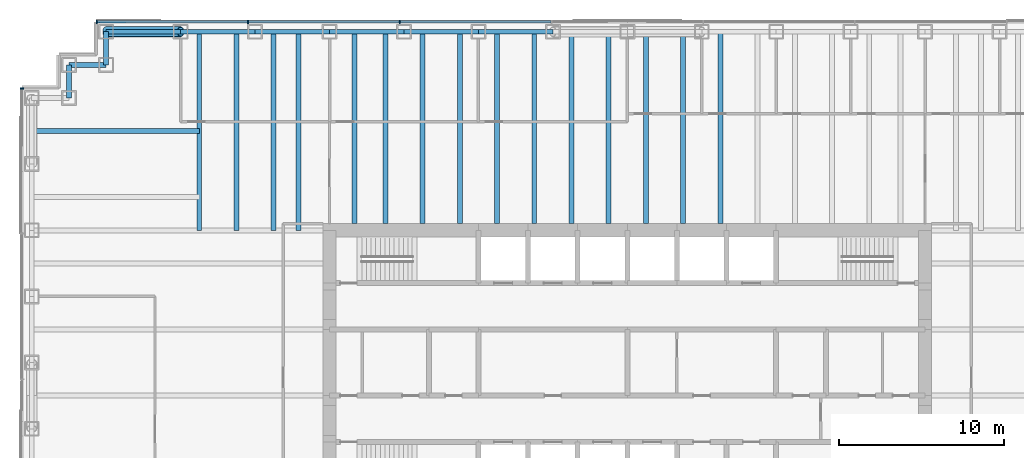
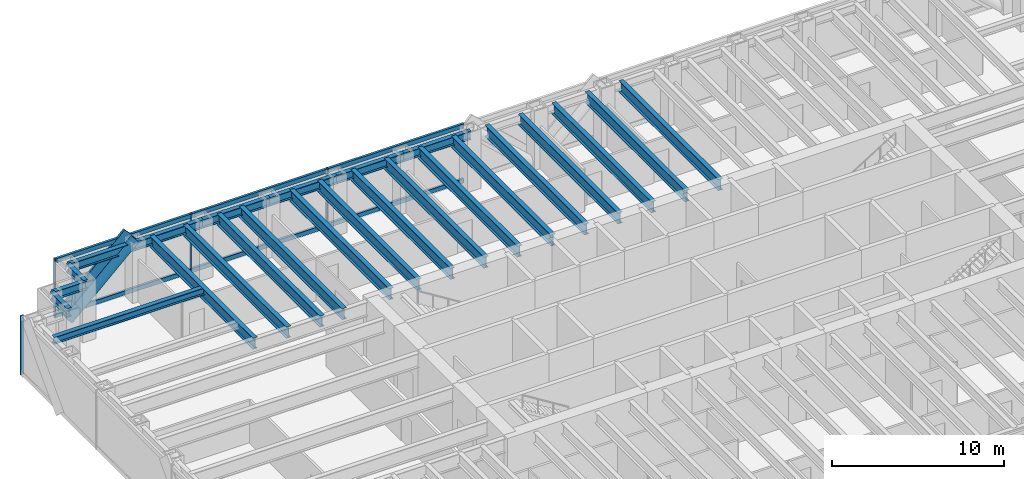
# One storey, part 5 of 15: 25 beams, 12 members, 2 elements without a shape of their own.
"""IFC4 building model written with IfcOpenShell, lengths in metres."""

import ifcopenshell
import ifcopenshell.guid

model = None  # the IFC model being written
_history = None  # IfcOwnerHistory: only IFC2X3 demands one
_inside = {}  # id of a spatial element -> (the spatial element, [elements in it])
_under = {}  # id of a project, library or spatial element -> (it, [spatial elements below it])
_declared = {}  # id of a project -> (the project, [libraries it declares])
_typed = {}  # id of a type object -> (the type object, [elements of that type])
_made_of = {}  # id of a material, layer set ... -> (it, [elements and type objects made of it])


def new_model(schema):
    """Start an empty IFC model of exactly this schema.

    Asked for "IFC4X3", IfcOpenShell would pick the latest addendum, in which some entities
    have other attributes; the version numbers below select the first issue.
    IFC2X3 requires an IfcOwnerHistory on every rooted entity: one is made here for all.
    """
    global model, _history
    if schema == "IFC4X3":
        model = ifcopenshell.file(schema_version=(4, 3, 0, 0))
    else:
        model = ifcopenshell.file(schema=schema)
    _inside.clear()
    _under.clear()
    _declared.clear()
    _typed.clear()
    _made_of.clear()
    _history = None
    if model.schema == "IFC2X3":
        org = make("IfcOrganization", Name="unknown")
        user = make(
            "IfcPersonAndOrganization",
            ThePerson=make("IfcPerson", FamilyName="unknown"),
            TheOrganization=org,
        )
        app = make(
            "IfcApplication",
            ApplicationDeveloper=org,
            Version="unknown",
            ApplicationFullName="unknown",
            ApplicationIdentifier="unknown",
        )
        _history = make(
            "IfcOwnerHistory",
            OwningUser=user,
            OwningApplication=app,
            ChangeAction="ADDED",
            CreationDate=0,
        )
    return model


def make(cls, **values):
    """One entity of the class cls with the attributes given. An attribute that is None is left unset."""
    return model.create_entity(
        cls, **{name: value for name, value in values.items() if value is not None}
    )


def rooted(cls, **values):
    """An entity with a GlobalId (a new one), such as an element, a storey or a relation."""
    return make(cls, GlobalId=ifcopenshell.guid.new(), OwnerHistory=_history, **values)


def si_unit(unit_type, name, prefix=None):
    """IfcSIUnit, for example si_unit("LENGTHUNIT", "METRE", prefix="MILLI")."""
    return make("IfcSIUnit", UnitType=unit_type, Prefix=prefix, Name=name)


def assignment(units):
    """IfcUnitAssignment: the units of a project."""
    return None if units is None else make("IfcUnitAssignment", Units=units)


def point(xyz):
    """IfcCartesianPoint."""
    return None if xyz is None else make("IfcCartesianPoint", Coordinates=xyz)


def direction(xyz):
    """IfcDirection."""
    return None if xyz is None else make("IfcDirection", DirectionRatios=xyz)


def frame(location, z_axis=None, x_axis=None):
    """IfcAxis2Placement3D, a coordinate frame: its origin and axes. An axis left out is left unset."""
    return make(
        "IfcAxis2Placement3D",
        Location=point(location),
        Axis=direction(z_axis),
        RefDirection=direction(x_axis),
    )


def frame_2d(location, x_axis=None):
    """IfcAxis2Placement2D, a coordinate frame in the plane: its origin and x axis."""
    return make(
        "IfcAxis2Placement2D", Location=point(location), RefDirection=direction(x_axis)
    )


def origin():
    """The frame at (0, 0, 0) with its axes left unset."""
    return frame((0.0, 0.0, 0.0))


def origin_2d():
    """The frame at (0, 0) in the plane with its x axis left unset."""
    return frame_2d((0.0, 0.0))


def place(relative_to, where):
    """IfcLocalPlacement: puts the frame where relative to a parent placement (None: the world)."""
    return make(
        "IfcLocalPlacement", PlacementRelTo=relative_to, RelativePlacement=where
    )


def context(
    kind, dimensions, precision=None, world=None, true_north=None, identifier=None
):
    """IfcGeometricRepresentationContext, for example the 3D "Model" context."""
    return make(
        "IfcGeometricRepresentationContext",
        ContextIdentifier=identifier,
        ContextType=kind,
        CoordinateSpaceDimension=dimensions,
        Precision=precision,
        WorldCoordinateSystem=world,
        TrueNorth=true_north,
    )


def subcontext(parent, identifier, kind, view, scale=None):
    """IfcGeometricRepresentationSubContext, for example "Body" below "Model"."""
    return make(
        "IfcGeometricRepresentationSubContext",
        ContextIdentifier=identifier,
        ContextType=kind,
        ParentContext=parent,
        TargetScale=scale,
        TargetView=view,
    )


def project(units=None, contexts=None):
    """IfcProject with its units and contexts."""
    return rooted(
        "IfcProject",
        Name="project",
        RepresentationContexts=contexts,
        UnitsInContext=assignment(units),
    )


def spatial(cls, under=None, at=None, **own):
    """A site, building, storey or space (cls), placed at a placement, below another one or the project."""
    s = rooted(cls, ObjectPlacement=at, **own)
    if under is not None:
        _under.setdefault(under.id(), (under, []))[1].append(s)
    return s


def profile(cls, at=None, kind="AREA", **sizes):
    """A parametric profile (cls). Its sizes go by their IFC names, for example OverallWidth=200.0."""
    return make(cls, ProfileType=kind, Position=at, **sizes)


def rectangle(**sizes):
    """IfcRectangleProfileDef."""
    return profile("IfcRectangleProfileDef", **sizes)


def hollow_circle(**sizes):
    """IfcCircleHollowProfileDef."""
    return profile("IfcCircleHollowProfileDef", **sizes)


def i_section(**sizes):
    """IfcIShapeProfileDef."""
    return profile("IfcIShapeProfileDef", **sizes)


def extrude(swept, where, along, depth):
    """IfcExtrudedAreaSolid: the profile swept, set in the frame where, extruded along a direction by depth."""
    return make(
        "IfcExtrudedAreaSolid",
        SweptArea=swept,
        Position=where,
        ExtrudedDirection=direction(along),
        Depth=depth,
    )


def shape(context_of_items, identifier, shape_type, items):
    """IfcShapeRepresentation: the items that make up one representation, for example the "Body"."""
    return make(
        "IfcShapeRepresentation",
        ContextOfItems=context_of_items,
        RepresentationIdentifier=identifier,
        RepresentationType=shape_type,
        Items=items,
    )


def material(Name=None, Category=None):
    """IfcMaterial."""
    return make("IfcMaterial", Name=Name, Category=Category)


def material_profile(
    of_material, cross_section, Name=None, Category=None, Priority=None
):
    """IfcMaterialProfile: a cross section and its material."""
    return make(
        "IfcMaterialProfile",
        Name=Name,
        Material=of_material,
        Profile=cross_section,
        Priority=Priority,
        Category=Category,
    )


def profile_set(profiles, Name=None, composite=None):
    """IfcMaterialProfileSet."""
    return make(
        "IfcMaterialProfileSet",
        Name=Name,
        MaterialProfiles=profiles,
        CompositeProfile=composite,
    )


def made_of(thing, what):
    """Note that an element or type object is made of a material, layer set ...; save() writes the relation."""
    if what is not None:
        _made_of.setdefault(what.id(), (what, []))[1].append(thing)
    return thing


def type_object(cls, material=None, **own):
    """A type object (cls), such as IfcWallType, which elements share."""
    return made_of(rooted(cls, **own), material)


def element(
    cls,
    number,
    at=None,
    inside=None,
    cuts=None,
    type_object=None,
    material=None,
    context=None,
    identifier="Body",
    shape_type=None,
    held_by="IfcProductDefinitionShape",
    body=None,
    shapes=None,
    **own,
):
    """One element of the class cls, such as IfcWall. Its Tag is "e" and its number.

    at: its placement. inside: the storey or other place that contains it. cuts: it is an
    opening in that element (IfcRelVoidsElement). A single representation is given by context,
    identifier, shape_type and body (its items); several are given by shapes. held_by: the class
    of the entity that holds the representations. save() writes the other relations.
    """
    e = rooted(cls, Tag="e%d" % number, ObjectPlacement=at, **own)
    if body is not None:
        shapes = [shape(context, identifier, shape_type, body)]
    if shapes is not None:
        e.Representation = make(held_by, Representations=shapes)
    if inside is not None:
        _inside.setdefault(inside.id(), (inside, []))[1].append(e)
    if cuts is not None:
        rooted(
            "IfcRelVoidsElement", RelatingBuildingElement=cuts, RelatedOpeningElement=e
        )
    if type_object is not None:
        _typed.setdefault(type_object.id(), (type_object, []))[1].append(e)
    return made_of(e, material)


def aggregate(whole, parts):
    """IfcRelAggregates: a whole, such as a stair, and the parts it consists of."""
    return rooted("IfcRelAggregates", RelatingObject=whole, RelatedObjects=parts)


def save(model, path):
    """Write the relations noted so far, then the file.

    IfcRelAggregates (storeys below a building ...), IfcRelContainedInSpatialStructure (elements
    in a storey), IfcRelDefinesByType, IfcRelAssociatesMaterial and IfcRelDeclares: one each for
    every whole, place, type object, material and project.
    """
    for whole, parts in _under.values():
        aggregate(whole, parts)
    for where, things in _inside.values():
        rooted(
            "IfcRelContainedInSpatialStructure",
            RelatedElements=things,
            RelatingStructure=where,
        )
    for kind, things in _typed.values():
        rooted("IfcRelDefinesByType", RelatedObjects=things, RelatingType=kind)
    for what, things in _made_of.values():
        rooted("IfcRelAssociatesMaterial", RelatedObjects=things, RelatingMaterial=what)
    for by, libraries in _declared.values():
        rooted("IfcRelDeclares", RelatingContext=by, RelatedDefinitions=libraries)
    model.write(path)


model = new_model("IFC4")

# Units and contexts
model_context = context("Model", 3, precision=1e-05, world=origin(), true_north=direction((0.0, 1.0)))
body_context = subcontext(model_context, "Body", "Model", "MODEL_VIEW")
ifc_project = project(units=[si_unit("LENGTHUNIT", "METRE"), si_unit("AREAUNIT", "SQUARE_METRE"), si_unit("VOLUMEUNIT", "CUBIC_METRE"), si_unit("PLANEANGLEUNIT", "RADIAN"), si_unit("MASSUNIT", "GRAM", prefix="KILO")], contexts=[model_context])

# Site, building, storey
site_placement = place(None, origin())
site = spatial("IfcSite", under=ifc_project, at=site_placement, CompositionType="ELEMENT")
building_placement = place(site_placement, origin())
building = spatial("IfcBuilding", under=site, at=building_placement, Name="Rheinbord Bourse Tower", CompositionType="ELEMENT")
storey_placement = place(building_placement, frame((0.0, 0.0, 215.199951171875)))
storey = spatial("IfcBuildingStorey", under=building, at=storey_placement, Name="L48", CompositionType="ELEMENT", Elevation=215.199951171875)

# Curtain wall, members
ifc_material_1 = material(Name="Dark glass and black aluminium", Category="aluminium")
curtain_wall_type = type_object("IfcCurtainWallType", Name="CW2 DARK GLASS CURTAIN WALL", PredefinedType="USERDEFINED", material=ifc_material_1)
curtain_wall_1_placement = place(storey_placement, origin())
curtain_wall_1 = element("IfcCurtainWall", 1, at=curtain_wall_1_placement, inside=storey, type_object=curtain_wall_type, Name="Curtain wall CW2 N L48", ObjectType="UNITISED CURTAIN WALL", PredefinedType="USERDEFINED")
ifc_material_2 = material(Name="Black anodised aluminium", Category="aluminium")
ifc_material_profile_1 = material_profile(ifc_material_2, rectangle(XDim=0.159912109375, YDim=1.2099609375, at=origin_2d()), Name="CW2 DIAGONAL MULLION 1210x160")
ifc_profile_set_1 = profile_set([ifc_material_profile_1], Name="Black anodised aluminium")
member_type_1 = type_object("IfcMemberType", Name="CW2 BLACK DIAGONAL MULLION", PredefinedType="USERDEFINED", material=ifc_profile_set_1)
member_1_placement = place(storey_placement, frame((4.5, 44.60009765625, 0.0), z_axis=(0.73105922506, 0.0, 0.682314010889), x_axis=(0.0, 1.0, 0.0)))
member_1 = element("IfcMember", 2, at=member_1_placement, type_object=member_type_1, Name="CW2 diagonal mullion c", ObjectType="DIAGONAL MULLION", PredefinedType="USERDEFINED", context=body_context, shape_type="SweptSolid", body=[
    extrude(rectangle(XDim=0.159912109375, YDim=1.2099609375, at=origin_2d()), origin(), (0.0, 0.0, 1.0), 6.155517578125),
])
ifc_material_3 = material(Name="Black anodised aluminium", Category="aluminium")
ifc_material_profile_2 = material_profile(ifc_material_3, rectangle(XDim=0.219970703125, YDim=0.070068359375, at=origin_2d()), Name="CW2 MULLION 70x220")
ifc_profile_set_2 = profile_set([ifc_material_profile_2], Name="Black anodised aluminium")
member_type_2 = type_object("IfcMemberType", Name="CW2 BLACK MULLION", PredefinedType="MULLION", material=ifc_profile_set_2)
member_2_placement = place(storey_placement, frame((22.242919921875, 44.60009765625, 0.0), z_axis=(0.0, 0.0, 1.0), x_axis=(0.0, -1.0, 0.0)))
member_2 = element("IfcMember", 3, at=member_2_placement, type_object=member_type_2, Name="CW2 mullion 6", PredefinedType="MULLION", context=body_context, shape_type="SweptSolid", body=[
    extrude(rectangle(XDim=0.219970703125, YDim=0.070068359375, at=origin_2d()), origin(), (0.0, 0.0, 1.0), 4.199951171875),
])
member_3_placement = place(storey_placement, frame((13.071533203125, 44.60009765625, 0.0), z_axis=(0.0, 0.0, 1.0), x_axis=(0.0, -1.0, 0.0)))
member_3 = element("IfcMember", 4, at=member_3_placement, type_object=member_type_2, Name="CW2 mullion 7", PredefinedType="MULLION", context=body_context, shape_type="SweptSolid", body=[
    extrude(rectangle(XDim=0.219970703125, YDim=0.070068359375, at=origin_2d()), origin(), (0.0, 0.0, 1.0), 4.199951171875),
])
member_4_placement = place(storey_placement, frame((3.93505859375, 44.60009765625, 0.0), z_axis=(0.0, 0.0, 1.0), x_axis=(0.0, -1.0, 0.0)))
member_4 = element("IfcMember", 5, at=member_4_placement, type_object=member_type_2, Name="CW2 mullion 8", PredefinedType="MULLION", context=body_context, shape_type="SweptSolid", body=[
    extrude(rectangle(XDim=0.219970703125, YDim=0.070068359375, at=origin_2d()), origin(), (0.0, 0.0, 1.0), 4.199951171875),
])

# Curtain wall, member
curtain_wall_2_placement = place(storey_placement, origin())
curtain_wall_2 = element("IfcCurtainWall", 6, at=curtain_wall_2_placement, inside=storey, type_object=curtain_wall_type, Name="Curtain wall CW2 W L48", ObjectType="UNITISED CURTAIN WALL", PredefinedType="USERDEFINED")
member_5_placement = place(storey_placement, frame((-0.60009765625, 40.56494140625, 0.0), z_axis=(0.0, 0.0, 1.0), x_axis=(1.0, 0.0, 0.0)))
member_5 = element("IfcMember", 7, at=member_5_placement, type_object=member_type_2, Name="CW2 mullion 1", PredefinedType="MULLION", context=body_context, shape_type="SweptSolid", body=[
    extrude(rectangle(XDim=0.219970703125, YDim=0.070068359375, at=origin_2d()), origin(), (0.0, 0.0, 1.0), 4.199951171875),
])
aggregate(curtain_wall_2, [member_5])

# Member
ifc_material_4 = material(Name="Black anodised aluminium", Category="aluminium")
ifc_material_profile_3 = material_profile(ifc_material_4, rectangle(XDim=0.159912109375, YDim=0.300048828125, at=origin_2d()), Name="CW2 TRANSOM 300x160")
ifc_profile_set_3 = profile_set([ifc_material_profile_3], Name="Black anodised aluminium")
member_type_3 = type_object("IfcMemberType", Name="CW2 BLACK TRANSOM", PredefinedType="USERDEFINED", material=ifc_profile_set_3)
member_6_placement = place(storey_placement, frame((31.37939453125, 44.60009765625, 0.150146484375), z_axis=(-1.0, 0.0, 0.0), x_axis=(0.0, -1.0, 0.0)))
member_6 = element("IfcMember", 8, at=member_6_placement, type_object=member_type_3, Name="CW2 transom 5.1", ObjectType="TRANSOM", PredefinedType="USERDEFINED", context=body_context, shape_type="SweptSolid", body=[
    extrude(rectangle(XDim=0.159912109375, YDim=0.300048828125, at=origin_2d()), origin(), (0.0, 0.0, 1.0), 9.1015625),
])

member_7_placement = place(storey_placement, frame((31.37939453125, 44.60009765625, 4.050048828125), z_axis=(-1.0, 0.0, 0.0), x_axis=(0.0, -1.0, 0.0)))
member_7 = element("IfcMember", 9, at=member_7_placement, type_object=member_type_3, Name="CW2 transom 5.2", ObjectType="TRANSOM", PredefinedType="USERDEFINED", context=body_context, shape_type="SweptSolid", body=[
    extrude(rectangle(XDim=0.159912109375, YDim=0.300048828125, at=origin_2d()), origin(), (0.0, 0.0, 1.0), 9.1015625),
])

member_8_placement = place(storey_placement, frame((22.207763671875, 44.60009765625, 0.150146484375), z_axis=(-1.0, 0.0, 0.0), x_axis=(0.0, -1.0, 0.0)))
member_8 = element("IfcMember", 10, at=member_8_placement, type_object=member_type_3, Name="CW2 transom 6.1", ObjectType="TRANSOM", PredefinedType="USERDEFINED", context=body_context, shape_type="SweptSolid", body=[
    extrude(rectangle(XDim=0.159912109375, YDim=0.300048828125, at=origin_2d()), origin(), (0.0, 0.0, 1.0), 9.101318359375),
])

member_9_placement = place(storey_placement, frame((22.207763671875, 44.60009765625, 4.050048828125), z_axis=(-1.0, 0.0, 0.0), x_axis=(0.0, -1.0, 0.0)))
member_9 = element("IfcMember", 11, at=member_9_placement, type_object=member_type_3, Name="CW2 transom 6.2", ObjectType="TRANSOM", PredefinedType="USERDEFINED", context=body_context, shape_type="SweptSolid", body=[
    extrude(rectangle(XDim=0.159912109375, YDim=0.300048828125, at=origin_2d()), origin(), (0.0, 0.0, 1.0), 9.101318359375),
])

member_10_placement = place(storey_placement, frame((13.036376953125, 44.60009765625, 0.150146484375), z_axis=(-1.0, 0.0, 0.0), x_axis=(0.0, -1.0, 0.0)))
member_10 = element("IfcMember", 12, at=member_10_placement, type_object=member_type_3, Name="CW2 transom 7.1", ObjectType="TRANSOM", PredefinedType="USERDEFINED", context=body_context, shape_type="SweptSolid", body=[
    extrude(rectangle(XDim=0.159912109375, YDim=0.300048828125, at=origin_2d()), origin(), (0.0, 0.0, 1.0), 9.06640625),
])

member_11_placement = place(storey_placement, frame((13.036376953125, 44.60009765625, 4.050048828125), z_axis=(-1.0, 0.0, 0.0), x_axis=(0.0, -1.0, 0.0)))
member_11 = element("IfcMember", 13, at=member_11_placement, type_object=member_type_3, Name="CW2 transom 7.2", ObjectType="TRANSOM", PredefinedType="USERDEFINED", context=body_context, shape_type="SweptSolid", body=[
    extrude(rectangle(XDim=0.159912109375, YDim=0.300048828125, at=origin_2d()), origin(), (0.0, 0.0, 1.0), 9.06640625),
])

aggregate(curtain_wall_1, [member_2, member_3, member_4, member_6, member_7, member_8, member_9, member_10, member_11, member_1])

# Beams
ifc_material_5 = material(Name="Steel S460", Category="steel")
ifc_material_profile_4 = material_profile(ifc_material_5, i_section(OverallWidth=0.300048828125, OverallDepth=0.800048828125, WebThickness=0.017578125, FlangeThickness=0.032958984375, at=origin_2d()), Name="HEB 800")
ifc_profile_set_4 = profile_set([ifc_material_profile_4], Name="Steel S460")
beam_type_1 = type_object("IfcBeamType", Name="FLOOR BEAM HEB 800", PredefinedType="BEAM", material=ifc_profile_set_4)
for number, where, z_axis, x_axis, name in (
    (14, (10.125, 44.0, 3.64013671875), (0.0, -1.0, 0.0), (1.0, 0.0, 0.0), "Floor beam N-9a L49"),
    (15, (12.375, 44.0, 3.64013671875), (0.0, -1.0, 0.0), (1.0, 0.0, 0.0), "Floor beam N-9b L49"),
    (16, (14.625, 44.0, 3.64013671875), (0.0, -1.0, 0.0), (1.0, 0.0, 0.0), "Floor beam N-13.5a L49"),
    (17, (16.125, 44.0, 3.64013671875), (0.0, -1.0, 0.0), (1.0, 0.0, 0.0), "Floor beam N-13.5b L49"),
):
    element("IfcBeam", number, at=place(storey_placement, frame(where, z_axis=z_axis, x_axis=x_axis)), inside=storey, type_object=beam_type_1, Name=name, PredefinedType="BEAM", context=body_context, shape_type="SweptSolid", body=[
        extrude(i_section(OverallWidth=0.300048828125, OverallDepth=0.800048828125, WebThickness=0.017578125, FlangeThickness=0.032958984375, at=origin_2d()), origin(), (0.0, 0.0, 1.0), 12.0),
    ])
for number, where, z_axis, x_axis, name in (
    (18, (19.5, 44.0, 3.64013671875), (0.0, -1.0, 0.0), (1.0, 0.0, 0.0), "Floor beam N-18a L49"),
    (19, (21.375, 44.0, 3.64013671875), (0.0, -1.0, 0.0), (1.0, 0.0, 0.0), "Floor beam N-18b L49"),
    (20, (23.625, 44.0, 3.64013671875), (0.0, -1.0, 0.0), (1.0, 0.0, 0.0), "Floor beam N-22.5a L49"),
    (21, (25.875, 44.0, 3.64013671875), (0.0, -1.0, 0.0), (1.0, 0.0, 0.0), "Floor beam N-22.5b L49"),
    (22, (28.125, 44.0, 3.64013671875), (0.0, -1.0, 0.0), (1.0, 0.0, 0.0), "Floor beam N-27a L49"),
    (23, (30.375, 44.0, 3.64013671875), (0.0, -1.0, 0.0), (1.0, 0.0, 0.0), "Floor beam N-27b L49"),
    (24, (32.625, 44.0, 3.64013671875), (0.0, -1.0, 0.0), (1.0, 0.0, 0.0), "Floor beam N-31.5a L49"),
    (25, (34.875, 44.0, 3.64013671875), (0.0, -1.0, 0.0), (1.0, 0.0, 0.0), "Floor beam N-31.5b L49"),
    (26, (37.125, 44.0, 3.64013671875), (0.0, -1.0, 0.0), (1.0, 0.0, 0.0), "Floor beam N-36a L49"),
    (27, (39.375, 44.0, 3.64013671875), (0.0, -1.0, 0.0), (1.0, 0.0, 0.0), "Floor beam N-36b L49"),
    (28, (41.625, 44.0, 3.64013671875), (0.0, -1.0, 0.0), (1.0, 0.0, 0.0), "Floor beam N-40.5a L49"),
):
    element("IfcBeam", number, at=place(storey_placement, frame(where, z_axis=z_axis, x_axis=x_axis)), inside=storey, type_object=beam_type_1, Name=name, PredefinedType="BEAM", context=body_context, shape_type="SweptSolid", body=[
        extrude(i_section(OverallWidth=0.300048828125, OverallDepth=0.800048828125, WebThickness=0.017578125, FlangeThickness=0.032958984375, at=origin_2d()), origin(), (0.0, 0.0, 1.0), 11.60009765625),
    ])

# Member
ifc_material_6 = material(Name="Steel S460", Category="steel")
ifc_material_profile_5 = material_profile(ifc_material_6, hollow_circle(Radius=0.304931640625, WallThickness=0.0400390625, at=origin_2d()), Name="CHS 610x40")
ifc_profile_set_5 = profile_set([ifc_material_profile_5], Name="Steel S460")
member_type_4 = type_object("IfcMemberType", Name="MEGABRACE CHS 610x40", PredefinedType="BRACE", material=ifc_profile_set_5)
member_12_placement = place(storey_placement, frame((4.5, 44.0, 0.0), z_axis=(0.73105922506, 0.0, 0.682314010889), x_axis=(0.0, 1.0, 0.0)))
element("IfcMember", 29, at=member_12_placement, inside=storey, type_object=member_type_4, Name="Megabrace N face line c L48", PredefinedType="BRACE", context=body_context, shape_type="SweptSolid", body=[
    extrude(hollow_circle(Radius=0.304931640625, WallThickness=0.0400390625, at=origin_2d()), origin(), (0.0, 0.0, 1.0), 6.155517578125),
])

# Beams
ifc_material_7 = material(Name="Steel S460", Category="steel")
ifc_material_profile_6 = material_profile(ifc_material_7, i_section(OverallWidth=0.300048828125, OverallDepth=0.60009765625, WebThickness=0.015380859375, FlangeThickness=0.030029296875, at=origin_2d()), Name="HEB 600")
ifc_profile_set_6 = profile_set([ifc_material_profile_6], Name="Steel S460")
beam_type_2 = type_object("IfcBeamType", Name="SPANDREL HEB 600", PredefinedType="SPANDREL", material=ifc_profile_set_6)
for number, where, z_axis, x_axis, name in (
    (30, (31.5, 44.0, 3.739990234375), (-1.0, 0.0, 0.0), (0.0, -1.0, 0.0), "Spandrel N-31.5-N-27 under L49"),
    (31, (27.0, 44.0, 3.739990234375), (-1.0, 0.0, 0.0), (0.0, -1.0, 0.0), "Spandrel N-27-N-22.5 under L49"),
    (32, (22.5, 44.0, 3.739990234375), (-1.0, 0.0, 0.0), (0.0, -1.0, 0.0), "Spandrel N-22.5-N-18 under L49"),
    (33, (18.0, 44.0, 3.739990234375), (-1.0, 0.0, 0.0), (0.0, -1.0, 0.0), "Spandrel N-18-N-13.5 under L49"),
    (34, (13.5, 44.0, 3.739990234375), (-1.0, 0.0, 0.0), (0.0, -1.0, 0.0), "Spandrel N-13.5-N-9 under L49"),
    (35, (9.0, 44.0, 3.739990234375), (-1.0, 0.0, 0.0), (0.0, -1.0, 0.0), "Spandrel N-9-NW-E under L49"),
):
    element("IfcBeam", number, at=place(storey_placement, frame(where, z_axis=z_axis, x_axis=x_axis)), inside=storey, type_object=beam_type_2, Name=name, PredefinedType="SPANDREL", context=body_context, shape_type="SweptSolid", body=[
        extrude(i_section(OverallWidth=0.300048828125, OverallDepth=0.60009765625, WebThickness=0.015380859375, FlangeThickness=0.030029296875, at=origin_2d()), origin(), (0.0, 0.0, 1.0), 4.5),
    ])
beam_1_placement = place(storey_placement, frame((4.5, 44.0, 3.739990234375), z_axis=(0.0, -1.0, 0.0), x_axis=(1.0, 0.0, 0.0)))
element("IfcBeam", 36, at=beam_1_placement, inside=storey, type_object=beam_type_2, Name="Spandrel NW-E-NW-D under L49", PredefinedType="SPANDREL", context=body_context, shape_type="SweptSolid", body=[
    extrude(i_section(OverallWidth=0.300048828125, OverallDepth=0.60009765625, WebThickness=0.015380859375, FlangeThickness=0.030029296875, at=origin_2d()), origin(), (0.0, 0.0, 1.0), 2.0),
])
beam_2_placement = place(storey_placement, frame((4.5, 42.0, 3.739990234375), z_axis=(-1.0, 0.0, 0.0), x_axis=(0.0, -1.0, 0.0)))
element("IfcBeam", 37, at=beam_2_placement, inside=storey, type_object=beam_type_2, Name="Spandrel NW-D-NW-C under L49", PredefinedType="SPANDREL", context=body_context, shape_type="SweptSolid", body=[
    extrude(i_section(OverallWidth=0.300048828125, OverallDepth=0.60009765625, WebThickness=0.015380859375, FlangeThickness=0.030029296875, at=origin_2d()), origin(), (0.0, 0.0, 1.0), 2.25),
])
beam_3_placement = place(storey_placement, frame((2.25, 42.0, 3.739990234375), z_axis=(0.0, -1.0, 0.0), x_axis=(1.0, 0.0, 0.0)))
element("IfcBeam", 38, at=beam_3_placement, inside=storey, type_object=beam_type_2, Name="Spandrel NW-C-NW-B under L49", PredefinedType="SPANDREL", context=body_context, shape_type="SweptSolid", body=[
    extrude(i_section(OverallWidth=0.300048828125, OverallDepth=0.60009765625, WebThickness=0.015380859375, FlangeThickness=0.030029296875, at=origin_2d()), origin(), (0.0, 0.0, 1.0), 2.0),
])
ifc_material_8 = material(Name="Steel S460", Category="steel")
ifc_material_profile_7 = material_profile(ifc_material_8, i_section(OverallWidth=0.300048828125, OverallDepth=0.5, WebThickness=0.014404296875, FlangeThickness=0.028076171875, at=origin_2d()), Name="HEB 500")
ifc_profile_set_7 = profile_set([ifc_material_profile_7], Name="Steel S460")
beam_type_3 = type_object("IfcBeamType", Name="TIE BEAM HEB 500", PredefinedType="JOIST", material=ifc_profile_set_7)
beam_4_placement = place(storey_placement, frame((0.0, 38.0, 3.7900390625), z_axis=(1.0, 0.0, 0.0), x_axis=(0.0, 1.0, 0.0)))
element("IfcBeam", 39, at=beam_4_placement, inside=storey, type_object=beam_type_3, Name="Tie west 38 L49", PredefinedType="JOIST", context=body_context, shape_type="SweptSolid", body=[
    extrude(i_section(OverallWidth=0.300048828125, OverallDepth=0.5, WebThickness=0.014404296875, FlangeThickness=0.028076171875, at=origin_2d()), origin(), (0.0, 0.0, 1.0), 10.125),
])

save(model, "model.ifc")
